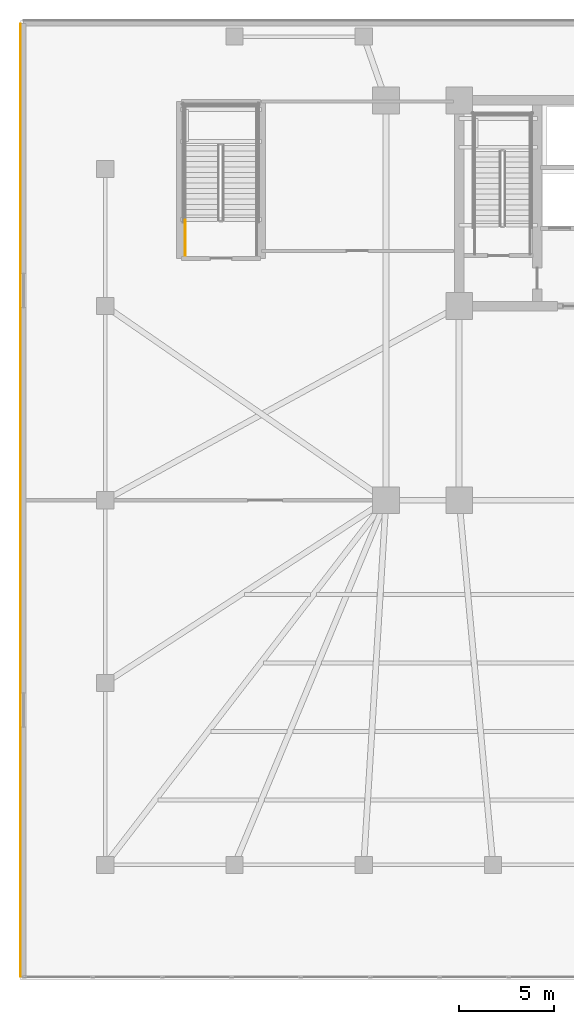
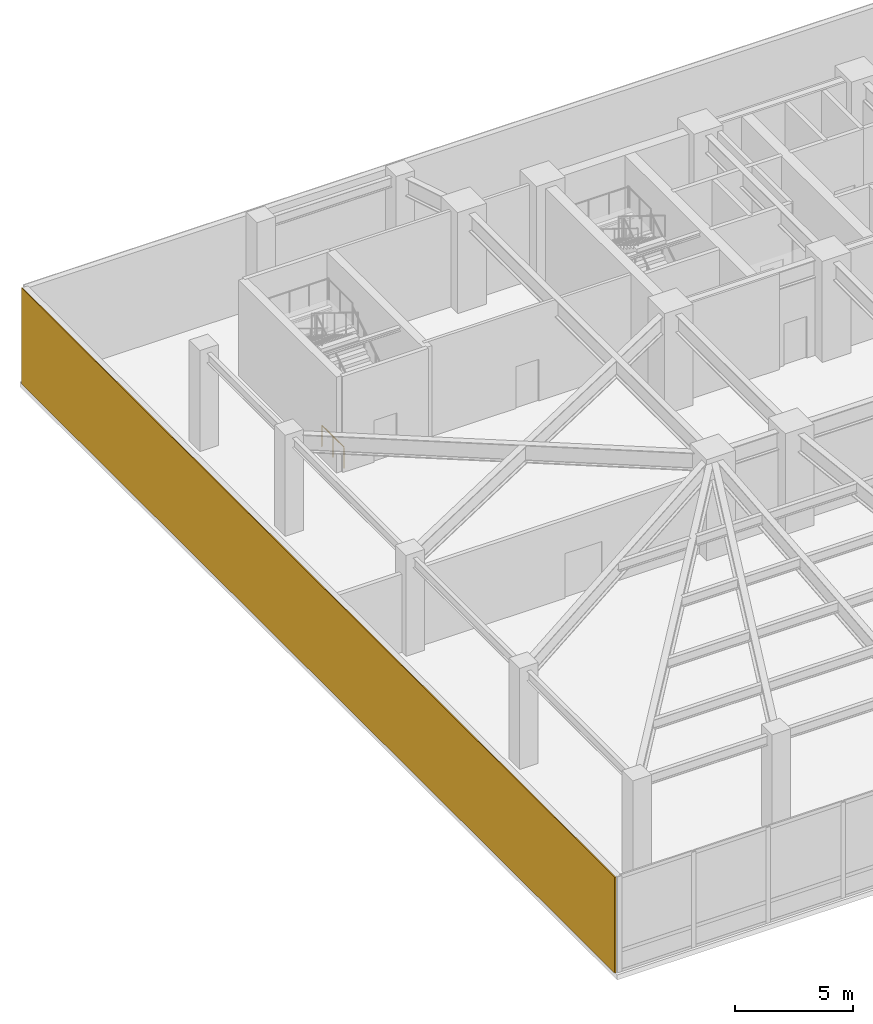
# One storey, part 15 of 19: 1 covering, 1 railing.
"""IFC4 building model written with IfcOpenShell, lengths in metres."""

import ifcopenshell
import ifcopenshell.guid

model = None  # the IFC model being written
_history = None  # IfcOwnerHistory: only IFC2X3 demands one
_inside = {}  # id of a spatial element -> (the spatial element, [elements in it])
_under = {}  # id of a project, library or spatial element -> (it, [spatial elements below it])
_declared = {}  # id of a project -> (the project, [libraries it declares])
_typed = {}  # id of a type object -> (the type object, [elements of that type])
_made_of = {}  # id of a material, layer set ... -> (it, [elements and type objects made of it])


def new_model(schema):
    """Start an empty IFC model of exactly this schema.

    Asked for "IFC4X3", IfcOpenShell would pick the latest addendum, in which some entities
    have other attributes; the version numbers below select the first issue.
    IFC2X3 requires an IfcOwnerHistory on every rooted entity: one is made here for all.
    """
    global model, _history
    if schema == "IFC4X3":
        model = ifcopenshell.file(schema_version=(4, 3, 0, 0))
    else:
        model = ifcopenshell.file(schema=schema)
    _inside.clear()
    _under.clear()
    _declared.clear()
    _typed.clear()
    _made_of.clear()
    _history = None
    if model.schema == "IFC2X3":
        org = make("IfcOrganization", Name="unknown")
        user = make(
            "IfcPersonAndOrganization",
            ThePerson=make("IfcPerson", FamilyName="unknown"),
            TheOrganization=org,
        )
        app = make(
            "IfcApplication",
            ApplicationDeveloper=org,
            Version="unknown",
            ApplicationFullName="unknown",
            ApplicationIdentifier="unknown",
        )
        _history = make(
            "IfcOwnerHistory",
            OwningUser=user,
            OwningApplication=app,
            ChangeAction="ADDED",
            CreationDate=0,
        )
    return model


def make(cls, **values):
    """One entity of the class cls with the attributes given. An attribute that is None is left unset."""
    return model.create_entity(
        cls, **{name: value for name, value in values.items() if value is not None}
    )


def rooted(cls, **values):
    """An entity with a GlobalId (a new one), such as an element, a storey or a relation."""
    return make(cls, GlobalId=ifcopenshell.guid.new(), OwnerHistory=_history, **values)


def si_unit(unit_type, name, prefix=None):
    """IfcSIUnit, for example si_unit("LENGTHUNIT", "METRE", prefix="MILLI")."""
    return make("IfcSIUnit", UnitType=unit_type, Prefix=prefix, Name=name)


def assignment(units):
    """IfcUnitAssignment: the units of a project."""
    return None if units is None else make("IfcUnitAssignment", Units=units)


def point(xyz):
    """IfcCartesianPoint."""
    return None if xyz is None else make("IfcCartesianPoint", Coordinates=xyz)


def direction(xyz):
    """IfcDirection."""
    return None if xyz is None else make("IfcDirection", DirectionRatios=xyz)


def frame(location, z_axis=None, x_axis=None):
    """IfcAxis2Placement3D, a coordinate frame: its origin and axes. An axis left out is left unset."""
    return make(
        "IfcAxis2Placement3D",
        Location=point(location),
        Axis=direction(z_axis),
        RefDirection=direction(x_axis),
    )


def frame_2d(location, x_axis=None):
    """IfcAxis2Placement2D, a coordinate frame in the plane: its origin and x axis."""
    return make(
        "IfcAxis2Placement2D", Location=point(location), RefDirection=direction(x_axis)
    )


def origin():
    """The frame at (0, 0, 0) with its axes left unset."""
    return frame((0.0, 0.0, 0.0))


def origin_2d():
    """The frame at (0, 0) in the plane with its x axis left unset."""
    return frame_2d((0.0, 0.0))


def place(relative_to, where):
    """IfcLocalPlacement: puts the frame where relative to a parent placement (None: the world)."""
    return make(
        "IfcLocalPlacement", PlacementRelTo=relative_to, RelativePlacement=where
    )


def context(
    kind, dimensions, precision=None, world=None, true_north=None, identifier=None
):
    """IfcGeometricRepresentationContext, for example the 3D "Model" context."""
    return make(
        "IfcGeometricRepresentationContext",
        ContextIdentifier=identifier,
        ContextType=kind,
        CoordinateSpaceDimension=dimensions,
        Precision=precision,
        WorldCoordinateSystem=world,
        TrueNorth=true_north,
    )


def subcontext(parent, identifier, kind, view, scale=None):
    """IfcGeometricRepresentationSubContext, for example "Body" below "Model"."""
    return make(
        "IfcGeometricRepresentationSubContext",
        ContextIdentifier=identifier,
        ContextType=kind,
        ParentContext=parent,
        TargetScale=scale,
        TargetView=view,
    )


def project(units=None, contexts=None):
    """IfcProject with its units and contexts."""
    return rooted(
        "IfcProject",
        Name="project",
        RepresentationContexts=contexts,
        UnitsInContext=assignment(units),
    )


def spatial(cls, under=None, at=None, **own):
    """A site, building, storey or space (cls), placed at a placement, below another one or the project."""
    s = rooted(cls, ObjectPlacement=at, **own)
    if under is not None:
        _under.setdefault(under.id(), (under, []))[1].append(s)
    return s


def profile(cls, at=None, kind="AREA", **sizes):
    """A parametric profile (cls). Its sizes go by their IFC names, for example OverallWidth=200.0."""
    return make(cls, ProfileType=kind, Position=at, **sizes)


def rectangle(**sizes):
    """IfcRectangleProfileDef."""
    return profile("IfcRectangleProfileDef", **sizes)


def circle(**sizes):
    """IfcCircleProfileDef."""
    return profile("IfcCircleProfileDef", **sizes)


def extrude(swept, where, along, depth):
    """IfcExtrudedAreaSolid: the profile swept, set in the frame where, extruded along a direction by depth."""
    return make(
        "IfcExtrudedAreaSolid",
        SweptArea=swept,
        Position=where,
        ExtrudedDirection=direction(along),
        Depth=depth,
    )


def shape(context_of_items, identifier, shape_type, items):
    """IfcShapeRepresentation: the items that make up one representation, for example the "Body"."""
    return make(
        "IfcShapeRepresentation",
        ContextOfItems=context_of_items,
        RepresentationIdentifier=identifier,
        RepresentationType=shape_type,
        Items=items,
    )


def material(Name=None, Category=None):
    """IfcMaterial."""
    return make("IfcMaterial", Name=Name, Category=Category)


def layer(
    of_material, thickness, ventilated=None, Name=None, Category=None, Priority=None
):
    """IfcMaterialLayer: one layer of a wall or slab, of a material (None: an air gap)."""
    return make(
        "IfcMaterialLayer",
        Material=of_material,
        LayerThickness=thickness,
        IsVentilated=ventilated,
        Name=Name,
        Category=Category,
        Priority=Priority,
    )


def layer_set(layers, Name=None):
    """IfcMaterialLayerSet."""
    return make("IfcMaterialLayerSet", MaterialLayers=layers, LayerSetName=Name)


def made_of(thing, what):
    """Note that an element or type object is made of a material, layer set ...; save() writes the relation."""
    if what is not None:
        _made_of.setdefault(what.id(), (what, []))[1].append(thing)
    return thing


def type_object(cls, material=None, **own):
    """A type object (cls), such as IfcWallType, which elements share."""
    return made_of(rooted(cls, **own), material)


def element(
    cls,
    number,
    at=None,
    inside=None,
    cuts=None,
    type_object=None,
    material=None,
    context=None,
    identifier="Body",
    shape_type=None,
    held_by="IfcProductDefinitionShape",
    body=None,
    shapes=None,
    **own,
):
    """One element of the class cls, such as IfcWall. Its Tag is "e" and its number.

    at: its placement. inside: the storey or other place that contains it. cuts: it is an
    opening in that element (IfcRelVoidsElement). A single representation is given by context,
    identifier, shape_type and body (its items); several are given by shapes. held_by: the class
    of the entity that holds the representations. save() writes the other relations.
    """
    e = rooted(cls, Tag="e%d" % number, ObjectPlacement=at, **own)
    if body is not None:
        shapes = [shape(context, identifier, shape_type, body)]
    if shapes is not None:
        e.Representation = make(held_by, Representations=shapes)
    if inside is not None:
        _inside.setdefault(inside.id(), (inside, []))[1].append(e)
    if cuts is not None:
        rooted(
            "IfcRelVoidsElement", RelatingBuildingElement=cuts, RelatedOpeningElement=e
        )
    if type_object is not None:
        _typed.setdefault(type_object.id(), (type_object, []))[1].append(e)
    return made_of(e, material)


def aggregate(whole, parts):
    """IfcRelAggregates: a whole, such as a stair, and the parts it consists of."""
    return rooted("IfcRelAggregates", RelatingObject=whole, RelatedObjects=parts)


def save(model, path):
    """Write the relations noted so far, then the file.

    IfcRelAggregates (storeys below a building ...), IfcRelContainedInSpatialStructure (elements
    in a storey), IfcRelDefinesByType, IfcRelAssociatesMaterial and IfcRelDeclares: one each for
    every whole, place, type object, material and project.
    """
    for whole, parts in _under.values():
        aggregate(whole, parts)
    for where, things in _inside.values():
        rooted(
            "IfcRelContainedInSpatialStructure",
            RelatedElements=things,
            RelatingStructure=where,
        )
    for kind, things in _typed.values():
        rooted("IfcRelDefinesByType", RelatedObjects=things, RelatingType=kind)
    for what, things in _made_of.values():
        rooted("IfcRelAssociatesMaterial", RelatedObjects=things, RelatingMaterial=what)
    for by, libraries in _declared.values():
        rooted("IfcRelDeclares", RelatingContext=by, RelatedDefinitions=libraries)
    model.write(path)


model = new_model("IFC4")

# Units and contexts
model_context = context("Model", 3, precision=1e-05, world=origin(), true_north=direction((0.0, 1.0)))
body_context = subcontext(model_context, "Body", "Model", "MODEL_VIEW")
ifc_project = project(units=[si_unit("LENGTHUNIT", "METRE"), si_unit("AREAUNIT", "SQUARE_METRE"), si_unit("VOLUMEUNIT", "CUBIC_METRE"), si_unit("PLANEANGLEUNIT", "RADIAN"), si_unit("MASSUNIT", "GRAM", prefix="KILO")], contexts=[model_context])

# Site, building, storey
site_placement = place(None, origin())
site = spatial("IfcSite", under=ifc_project, at=site_placement, CompositionType="ELEMENT")
building_placement = place(site_placement, origin())
building = spatial("IfcBuilding", under=site, at=building_placement, Name="Yelkora Congress Tower", CompositionType="ELEMENT")
storey_placement = place(building_placement, frame((0.0, 0.0, 5.199951171875)))
storey = spatial("IfcBuildingStorey", under=building, at=storey_placement, Name="L01", CompositionType="ELEMENT", Elevation=5.199951171875)

# Covering
ifc_material_1 = material(Name="Anatolian honed limestone ashlar", Category="masonry")
ifc_layer_1 = layer(ifc_material_1, 0.050048828125)
ifc_layer_set_1 = layer_set([ifc_layer_1], Name="Anatolian honed limestone ashlar")
covering_type = type_object("IfcCoveringType", Name="COV-CLAD-LIMESTONE-50", PredefinedType="CLADDING", material=ifc_layer_set_1)
covering_placement = place(storey_placement, frame((0.0, 0.159912109375, 0.0), z_axis=(0.0, 0.0, 1.0), x_axis=(0.0, 1.0, 0.0)))
element("IfcCovering", 1, at=covering_placement, inside=storey, type_object=covering_type, Name="L01 Anatolian Limestone Cladding EW-L01-E01", PredefinedType="CLADDING", context=body_context, shape_type="SweptSolid", body=[
    extrude(rectangle(XDim=50.080078125, YDim=0.050048828125, at=frame_2d((25.0400390625, 0.0))), origin(), (0.0, 0.0, 1.0), 4.93994140625),
])

# Railing
ifc_material_2 = material(Name="Painted galvanised steel stair well guard with vertical infill", Category="steel")
ifc_layer_2 = layer(ifc_material_2, 0.06005859375)
ifc_layer_set_2 = layer_set([ifc_layer_2], Name="Painted galvanised steel stair well guard with vertical infill")
railing_type = type_object("IfcRailingType", Name="RAIL-STAIR-GUARD-1120", PredefinedType="GUARDRAIL", material=ifc_layer_set_2)
railing_placement = place(storey_placement, frame((8.64990234375, 38.050048828125, 0.0)))
element("IfcRailing", 2, at=railing_placement, inside=storey, type_object=railing_type, Name="ST-P1 L01 Stair Well Guardrail 9", PredefinedType="GUARDRAIL", context=body_context, shape_type="SweptSolid", body=[
    extrude(circle(Radius=0.02392578125, at=origin_2d()), frame((0.0, 0.0, 1.09619140625), z_axis=(0.0, 1.0, 0.0), x_axis=(-1.0, 0.0, 0.0)), (0.0, 0.0, 1.0), 1.849853515625),
    extrude(circle(Radius=0.02099609375, at=origin_2d()), origin(), (0.0, 0.0, 1.0), 1.072021484375),
    extrude(circle(Radius=0.02099609375, at=origin_2d()), frame((0.0, 0.9248046875, 0.0)), (0.0, 0.0, 1.0), 1.072021484375),
    extrude(circle(Radius=0.02099609375, at=origin_2d()), frame((0.0, 1.849853515625, 0.0)), (0.0, 0.0, 1.0), 1.072021484375),
])

save(model, "model.ifc")
